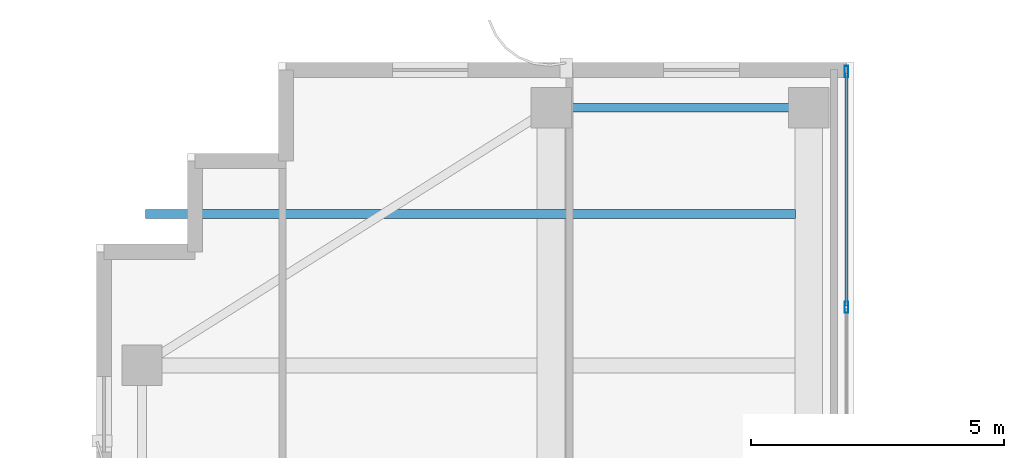
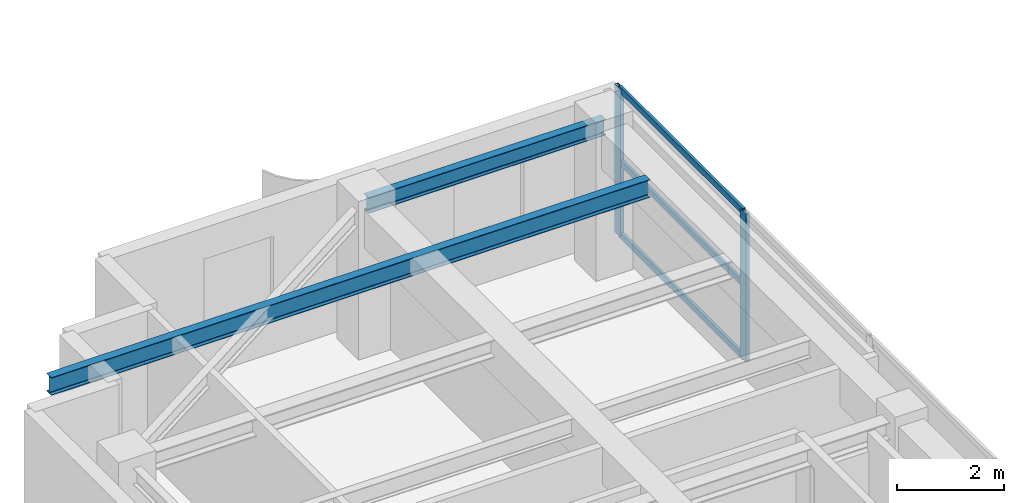
# One storey, part 15 of 24: 5 members, 2 beams, 1 element without a shape of its own.
"""IFC4 building model written with IfcOpenShell, lengths in metres."""

import ifcopenshell
import ifcopenshell.guid

model = None  # the IFC model being written
_history = None  # IfcOwnerHistory: only IFC2X3 demands one
_inside = {}  # id of a spatial element -> (the spatial element, [elements in it])
_under = {}  # id of a project, library or spatial element -> (it, [spatial elements below it])
_declared = {}  # id of a project -> (the project, [libraries it declares])
_typed = {}  # id of a type object -> (the type object, [elements of that type])
_made_of = {}  # id of a material, layer set ... -> (it, [elements and type objects made of it])


def new_model(schema):
    """Start an empty IFC model of exactly this schema.

    Asked for "IFC4X3", IfcOpenShell would pick the latest addendum, in which some entities
    have other attributes; the version numbers below select the first issue.
    IFC2X3 requires an IfcOwnerHistory on every rooted entity: one is made here for all.
    """
    global model, _history
    if schema == "IFC4X3":
        model = ifcopenshell.file(schema_version=(4, 3, 0, 0))
    else:
        model = ifcopenshell.file(schema=schema)
    _inside.clear()
    _under.clear()
    _declared.clear()
    _typed.clear()
    _made_of.clear()
    _history = None
    if model.schema == "IFC2X3":
        org = make("IfcOrganization", Name="unknown")
        user = make(
            "IfcPersonAndOrganization",
            ThePerson=make("IfcPerson", FamilyName="unknown"),
            TheOrganization=org,
        )
        app = make(
            "IfcApplication",
            ApplicationDeveloper=org,
            Version="unknown",
            ApplicationFullName="unknown",
            ApplicationIdentifier="unknown",
        )
        _history = make(
            "IfcOwnerHistory",
            OwningUser=user,
            OwningApplication=app,
            ChangeAction="ADDED",
            CreationDate=0,
        )
    return model


def make(cls, **values):
    """One entity of the class cls with the attributes given. An attribute that is None is left unset."""
    return model.create_entity(
        cls, **{name: value for name, value in values.items() if value is not None}
    )


def rooted(cls, **values):
    """An entity with a GlobalId (a new one), such as an element, a storey or a relation."""
    return make(cls, GlobalId=ifcopenshell.guid.new(), OwnerHistory=_history, **values)


def si_unit(unit_type, name, prefix=None):
    """IfcSIUnit, for example si_unit("LENGTHUNIT", "METRE", prefix="MILLI")."""
    return make("IfcSIUnit", UnitType=unit_type, Prefix=prefix, Name=name)


def assignment(units):
    """IfcUnitAssignment: the units of a project."""
    return None if units is None else make("IfcUnitAssignment", Units=units)


def point(xyz):
    """IfcCartesianPoint."""
    return None if xyz is None else make("IfcCartesianPoint", Coordinates=xyz)


def direction(xyz):
    """IfcDirection."""
    return None if xyz is None else make("IfcDirection", DirectionRatios=xyz)


def frame(location, z_axis=None, x_axis=None):
    """IfcAxis2Placement3D, a coordinate frame: its origin and axes. An axis left out is left unset."""
    return make(
        "IfcAxis2Placement3D",
        Location=point(location),
        Axis=direction(z_axis),
        RefDirection=direction(x_axis),
    )


def frame_2d(location, x_axis=None):
    """IfcAxis2Placement2D, a coordinate frame in the plane: its origin and x axis."""
    return make(
        "IfcAxis2Placement2D", Location=point(location), RefDirection=direction(x_axis)
    )


def origin():
    """The frame at (0, 0, 0) with its axes left unset."""
    return frame((0.0, 0.0, 0.0))


def origin_2d():
    """The frame at (0, 0) in the plane with its x axis left unset."""
    return frame_2d((0.0, 0.0))


def place(relative_to, where):
    """IfcLocalPlacement: puts the frame where relative to a parent placement (None: the world)."""
    return make(
        "IfcLocalPlacement", PlacementRelTo=relative_to, RelativePlacement=where
    )


def context(
    kind, dimensions, precision=None, world=None, true_north=None, identifier=None
):
    """IfcGeometricRepresentationContext, for example the 3D "Model" context."""
    return make(
        "IfcGeometricRepresentationContext",
        ContextIdentifier=identifier,
        ContextType=kind,
        CoordinateSpaceDimension=dimensions,
        Precision=precision,
        WorldCoordinateSystem=world,
        TrueNorth=true_north,
    )


def subcontext(parent, identifier, kind, view, scale=None):
    """IfcGeometricRepresentationSubContext, for example "Body" below "Model"."""
    return make(
        "IfcGeometricRepresentationSubContext",
        ContextIdentifier=identifier,
        ContextType=kind,
        ParentContext=parent,
        TargetScale=scale,
        TargetView=view,
    )


def project(units=None, contexts=None):
    """IfcProject with its units and contexts."""
    return rooted(
        "IfcProject",
        Name="project",
        RepresentationContexts=contexts,
        UnitsInContext=assignment(units),
    )


def spatial(cls, under=None, at=None, **own):
    """A site, building, storey or space (cls), placed at a placement, below another one or the project."""
    s = rooted(cls, ObjectPlacement=at, **own)
    if under is not None:
        _under.setdefault(under.id(), (under, []))[1].append(s)
    return s


def profile(cls, at=None, kind="AREA", **sizes):
    """A parametric profile (cls). Its sizes go by their IFC names, for example OverallWidth=200.0."""
    return make(cls, ProfileType=kind, Position=at, **sizes)


def hollow_rectangle(**sizes):
    """IfcRectangleHollowProfileDef."""
    return profile("IfcRectangleHollowProfileDef", **sizes)


def i_section(**sizes):
    """IfcIShapeProfileDef."""
    return profile("IfcIShapeProfileDef", **sizes)


def extrude(swept, where, along, depth):
    """IfcExtrudedAreaSolid: the profile swept, set in the frame where, extruded along a direction by depth."""
    return make(
        "IfcExtrudedAreaSolid",
        SweptArea=swept,
        Position=where,
        ExtrudedDirection=direction(along),
        Depth=depth,
    )


def shape(context_of_items, identifier, shape_type, items):
    """IfcShapeRepresentation: the items that make up one representation, for example the "Body"."""
    return make(
        "IfcShapeRepresentation",
        ContextOfItems=context_of_items,
        RepresentationIdentifier=identifier,
        RepresentationType=shape_type,
        Items=items,
    )


def source(mapping_origin, context_of_items, identifier, shape_type, items):
    """IfcRepresentationMap: a shape defined once, which mapped items show again and again."""
    return make(
        "IfcRepresentationMap",
        MappingOrigin=mapping_origin,
        MappedRepresentation=shape(context_of_items, identifier, shape_type, items),
    )


def transform(
    local_origin,
    x_axis=None,
    y_axis=None,
    z_axis=None,
    scale=None,
    scale2=None,
    scale3=None,
    uniform=True,
):
    """IfcCartesianTransformationOperator3D, or its non-uniform kind. x_axis, y_axis, z_axis: its Axis1, 2, 3."""
    if uniform:
        return make(
            "IfcCartesianTransformationOperator3D",
            Axis1=direction(x_axis),
            Axis2=direction(y_axis),
            LocalOrigin=point(local_origin),
            Scale=scale,
            Axis3=direction(z_axis),
        )
    return make(
        "IfcCartesianTransformationOperator3DnonUniform",
        Axis1=direction(x_axis),
        Axis2=direction(y_axis),
        LocalOrigin=point(local_origin),
        Scale=scale,
        Axis3=direction(z_axis),
        Scale2=scale2,
        Scale3=scale3,
    )


def mapped(mapping_source, mapping_target):
    """IfcMappedItem: shows the shape of a source again, moved by a transform."""
    return make(
        "IfcMappedItem", MappingSource=mapping_source, MappingTarget=mapping_target
    )


def material(Name=None, Category=None):
    """IfcMaterial."""
    return make("IfcMaterial", Name=Name, Category=Category)


def layer(
    of_material, thickness, ventilated=None, Name=None, Category=None, Priority=None
):
    """IfcMaterialLayer: one layer of a wall or slab, of a material (None: an air gap)."""
    return make(
        "IfcMaterialLayer",
        Material=of_material,
        LayerThickness=thickness,
        IsVentilated=ventilated,
        Name=Name,
        Category=Category,
        Priority=Priority,
    )


def layer_set(layers, Name=None):
    """IfcMaterialLayerSet."""
    return make("IfcMaterialLayerSet", MaterialLayers=layers, LayerSetName=Name)


def material_profile(
    of_material, cross_section, Name=None, Category=None, Priority=None
):
    """IfcMaterialProfile: a cross section and its material."""
    return make(
        "IfcMaterialProfile",
        Name=Name,
        Material=of_material,
        Profile=cross_section,
        Priority=Priority,
        Category=Category,
    )


def profile_set(profiles, Name=None, composite=None):
    """IfcMaterialProfileSet."""
    return make(
        "IfcMaterialProfileSet",
        Name=Name,
        MaterialProfiles=profiles,
        CompositeProfile=composite,
    )


def made_of(thing, what):
    """Note that an element or type object is made of a material, layer set ...; save() writes the relation."""
    if what is not None:
        _made_of.setdefault(what.id(), (what, []))[1].append(thing)
    return thing


def type_object(cls, material=None, **own):
    """A type object (cls), such as IfcWallType, which elements share."""
    return made_of(rooted(cls, **own), material)


def element(
    cls,
    number,
    at=None,
    inside=None,
    cuts=None,
    type_object=None,
    material=None,
    context=None,
    identifier="Body",
    shape_type=None,
    held_by="IfcProductDefinitionShape",
    body=None,
    shapes=None,
    **own,
):
    """One element of the class cls, such as IfcWall. Its Tag is "e" and its number.

    at: its placement. inside: the storey or other place that contains it. cuts: it is an
    opening in that element (IfcRelVoidsElement). A single representation is given by context,
    identifier, shape_type and body (its items); several are given by shapes. held_by: the class
    of the entity that holds the representations. save() writes the other relations.
    """
    e = rooted(cls, Tag="e%d" % number, ObjectPlacement=at, **own)
    if body is not None:
        shapes = [shape(context, identifier, shape_type, body)]
    if shapes is not None:
        e.Representation = make(held_by, Representations=shapes)
    if inside is not None:
        _inside.setdefault(inside.id(), (inside, []))[1].append(e)
    if cuts is not None:
        rooted(
            "IfcRelVoidsElement", RelatingBuildingElement=cuts, RelatedOpeningElement=e
        )
    if type_object is not None:
        _typed.setdefault(type_object.id(), (type_object, []))[1].append(e)
    return made_of(e, material)


def aggregate(whole, parts):
    """IfcRelAggregates: a whole, such as a stair, and the parts it consists of."""
    return rooted("IfcRelAggregates", RelatingObject=whole, RelatedObjects=parts)


def save(model, path):
    """Write the relations noted so far, then the file.

    IfcRelAggregates (storeys below a building ...), IfcRelContainedInSpatialStructure (elements
    in a storey), IfcRelDefinesByType, IfcRelAssociatesMaterial and IfcRelDeclares: one each for
    every whole, place, type object, material and project.
    """
    for whole, parts in _under.values():
        aggregate(whole, parts)
    for where, things in _inside.values():
        rooted(
            "IfcRelContainedInSpatialStructure",
            RelatedElements=things,
            RelatingStructure=where,
        )
    for kind, things in _typed.values():
        rooted("IfcRelDefinesByType", RelatedObjects=things, RelatingType=kind)
    for what, things in _made_of.values():
        rooted("IfcRelAssociatesMaterial", RelatedObjects=things, RelatingMaterial=what)
    for by, libraries in _declared.values():
        rooted("IfcRelDeclares", RelatingContext=by, RelatedDefinitions=libraries)
    model.write(path)


model = new_model("IFC4")

# Units and contexts
model_context = context("Model", 3, precision=1e-05, world=origin(), true_north=direction((0.0, 1.0)))
body_context = subcontext(model_context, "Body", "Model", "MODEL_VIEW")
ifc_project = project(units=[si_unit("LENGTHUNIT", "METRE"), si_unit("AREAUNIT", "SQUARE_METRE"), si_unit("VOLUMEUNIT", "CUBIC_METRE"), si_unit("PLANEANGLEUNIT", "RADIAN"), si_unit("MASSUNIT", "GRAM", prefix="KILO")], contexts=[model_context])

# Site, building, storey
site_placement = place(None, origin())
site = spatial("IfcSite", under=ifc_project, at=site_placement, CompositionType="ELEMENT")
building_placement = place(site_placement, origin())
building = spatial("IfcBuilding", under=site, at=building_placement, Name="Khoralis Quay Care Tower", CompositionType="ELEMENT")
storey_placement = place(building_placement, frame((0.0, 0.0, 249.300048828125)))
storey = spatial("IfcBuildingStorey", under=building, at=storey_placement, Name="L65", CompositionType="ELEMENT", Elevation=249.300048828125)

# Beams
ifc_material_1 = material(Name="Steel S355", Category="steel")
ifc_material_profile_1 = material_profile(ifc_material_1, i_section(OverallWidth=0.169921875, OverallDepth=0.360107421875, WebThickness=0.008056640625, FlangeThickness=0.0126953125, FilletRadius=0.01806640625, at=origin_2d()), Name="Steel S355")
ifc_profile_set_1 = profile_set([ifc_material_profile_1], Name="Steel S355")
beam_type_1 = type_object("IfcBeamType", Name="BM-IPE360", PredefinedType="SPANDREL", material=ifc_profile_set_1)
shared_shape_1 = source(origin(), body_context, "Body", "SweptSolid", [
    extrude(i_section(OverallWidth=0.169921875, OverallDepth=0.360107421875, WebThickness=0.008056640625, FlangeThickness=0.0126953125, FilletRadius=0.01806640625, at=origin_2d()), origin(), (0.0, 0.0, 1.0), 5.10009765625),
])
beam_1_placement = place(storey_placement, frame((12.0, 41.10009765625, 3.179931640625), z_axis=(1.0, 0.0, 0.0), x_axis=(0.0, 1.0, 0.0)))
element("IfcBeam", 1, at=beam_1_placement, inside=storey, type_object=beam_type_1, Name="BM-TSP-L65-03", PredefinedType="SPANDREL", context=body_context, shape_type="MappedRepresentation", body=[
    mapped(shared_shape_1, transform((0.0, 0.0, 0.0), scale=1.0)),
])
ifc_material_profile_2 = material_profile(ifc_material_1, i_section(OverallWidth=0.177978515625, OverallDepth=0.406982421875, WebThickness=0.0078125, FlangeThickness=0.0126953125, FilletRadius=0.012939453125, at=origin_2d()), Name="Steel S355")
ifc_profile_set_2 = profile_set([ifc_material_profile_2], Name="Steel S355")
beam_type_2 = type_object("IfcBeamType", Name="BM-W410X60", PredefinedType="JOIST", material=ifc_profile_set_2)
shared_shape_2 = source(origin(), body_context, "Body", "SweptSolid", [
    extrude(i_section(OverallWidth=0.177978515625, OverallDepth=0.406982421875, WebThickness=0.0078125, FlangeThickness=0.0126953125, FilletRadius=0.012939453125, at=origin_2d()), origin(), (0.0, 0.0, 1.0), 12.865966796875),
])
beam_2_placement = place(storey_placement, frame((3.970947265625, 39.0, 3.156494140625), z_axis=(1.0, 0.0, 0.0), x_axis=(0.0, 1.0, 0.0)))
element("IfcBeam", 2, at=beam_2_placement, inside=storey, type_object=beam_type_2, Name="BM-TJS-L65-21", PredefinedType="JOIST", context=body_context, shape_type="MappedRepresentation", body=[
    mapped(shared_shape_2, transform((0.0, 0.0, 0.0), scale=1.0)),
])

# Curtain wall, members
ifc_material_2 = material(Name="Pale anodised aluminium", Category="aluminium")
ifc_layer = layer(ifc_material_2, 0.18994140625)
ifc_layer_set = layer_set([ifc_layer], Name="Pale anodised aluminium")
curtain_wall_type = type_object("IfcCurtainWallType", Name="CW-SYS-PORTAL", PredefinedType="NOTDEFINED", material=ifc_layer_set)
curtain_wall_placement = place(storey_placement, origin())
curtain_wall = element("IfcCurtainWall", 3, at=curtain_wall_placement, inside=storey, type_object=curtain_wall_type, Name="L65 Unitised Curtain Wall CW-VP-L65-P1-N", PredefinedType="NOTDEFINED")
ifc_material_profile_3 = material_profile(ifc_material_2, hollow_rectangle(XDim=0.06005859375, YDim=0.139892578125, WallThickness=0.00390625, at=origin_2d()), Name="Pale anodised aluminium")
ifc_profile_set_3 = profile_set([ifc_material_profile_3], Name="Pale anodised aluminium")
member_type_1 = type_object("IfcMemberType", Name="CW-TRN-140", PredefinedType="USERDEFINED", material=ifc_profile_set_3)
shared_shape_3 = source(origin(), body_context, "Body", "SweptSolid", [
    extrude(hollow_rectangle(XDim=0.06005859375, YDim=0.139892578125, WallThickness=0.00390625, at=origin_2d()), origin(), (0.0, 0.0, 1.0), 4.610107421875),
])
member_1_placement = place(storey_placement, frame((17.85009765625, 37.179931640625, 0.030029296875), z_axis=(0.0, 1.0, 0.0), x_axis=(-1.0, 0.0, 0.0)))
member_1 = element("IfcMember", 4, at=member_1_placement, type_object=member_type_1, Name="CW4 transom 3.1", ObjectType="TRANSOM", PredefinedType="USERDEFINED", context=body_context, shape_type="MappedRepresentation", body=[
    mapped(shared_shape_3, transform((0.0, 0.0, 0.0), scale=1.0)),
])
member_2_placement = place(storey_placement, frame((17.85009765625, 37.179931640625, 1.679931640625), z_axis=(0.0, 1.0, 0.0), x_axis=(-1.0, 0.0, 0.0)))
member_2 = element("IfcMember", 5, at=member_2_placement, type_object=member_type_1, Name="CW4 transom 3.2", ObjectType="TRANSOM", PredefinedType="USERDEFINED", context=body_context, shape_type="MappedRepresentation", body=[
    mapped(shared_shape_3, transform((0.0, 0.0, 0.0), scale=1.0)),
])
member_3_placement = place(storey_placement, frame((17.85009765625, 37.179931640625, 3.329833984375), z_axis=(0.0, 1.0, 0.0), x_axis=(-1.0, 0.0, 0.0)))
member_3 = element("IfcMember", 6, at=member_3_placement, type_object=member_type_1, Name="CW4 transom 3.3", ObjectType="TRANSOM", PredefinedType="USERDEFINED", context=body_context, shape_type="MappedRepresentation", body=[
    mapped(shared_shape_3, transform((0.0, 0.0, 0.0), scale=1.0)),
])
ifc_material_profile_4 = material_profile(ifc_material_2, hollow_rectangle(XDim=0.074951171875, YDim=0.219970703125, WallThickness=0.00390625, at=origin_2d()), Name="Pale anodised aluminium")
ifc_profile_set_4 = profile_set([ifc_material_profile_4], Name="Pale anodised aluminium")
member_type_2 = type_object("IfcMemberType", Name="CW-MUL-220", PredefinedType="MULLION", material=ifc_profile_set_4)
shared_shape_4 = source(origin(), body_context, "Body", "SweptSolid", [
    extrude(hollow_rectangle(XDim=0.074951171875, YDim=0.219970703125, WallThickness=0.00390625, at=origin_2d()), origin(), (0.0, 0.0, 1.0), 3.35986328125),
])
member_4_placement = place(storey_placement, frame((17.85009765625, 37.14990234375, 0.0), z_axis=(0.0, 0.0, 1.0), x_axis=(-1.0, 0.0, 0.0)))
member_4 = element("IfcMember", 7, at=member_4_placement, type_object=member_type_2, Name="CW4 mullion 3", PredefinedType="MULLION", context=body_context, shape_type="MappedRepresentation", body=[
    mapped(shared_shape_4, transform((0.0, 0.0, 0.0), scale=1.0)),
])
member_5_placement = place(storey_placement, frame((17.85009765625, 41.820068359375, 0.0), z_axis=(0.0, 0.0, 1.0), x_axis=(-1.0, 0.0, 0.0)))
member_5 = element("IfcMember", 8, at=member_5_placement, type_object=member_type_2, Name="CW4 mullion 4", PredefinedType="MULLION", context=body_context, shape_type="MappedRepresentation", body=[
    mapped(shared_shape_4, transform((0.0, 0.0, 0.0), scale=1.0)),
])
aggregate(curtain_wall, [member_4, member_5, member_1, member_2, member_3])

save(model, "model.ifc")
